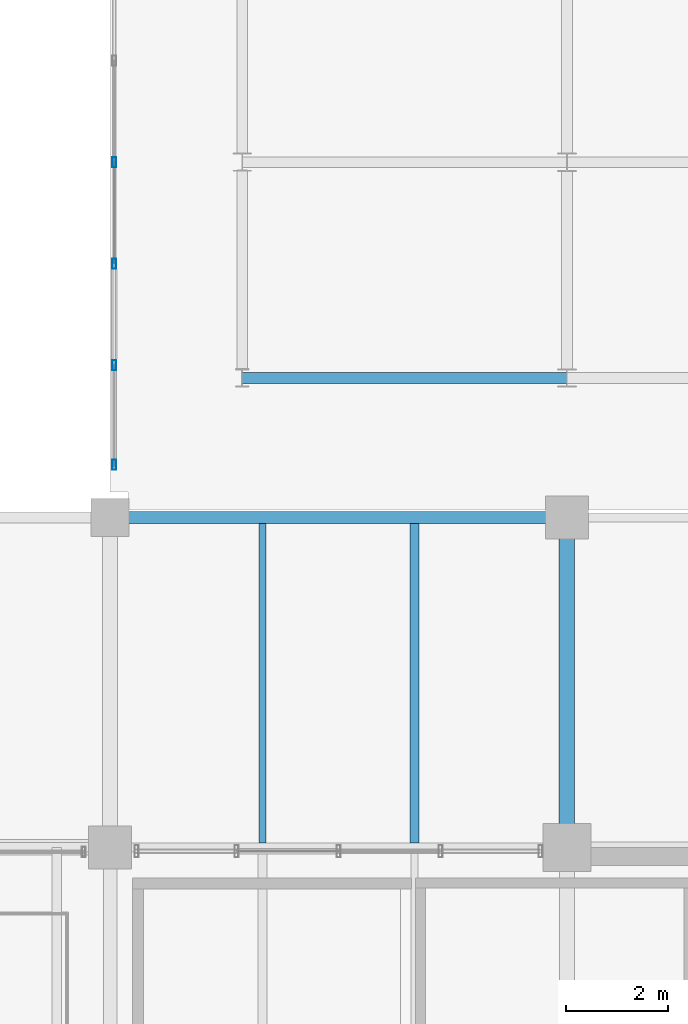
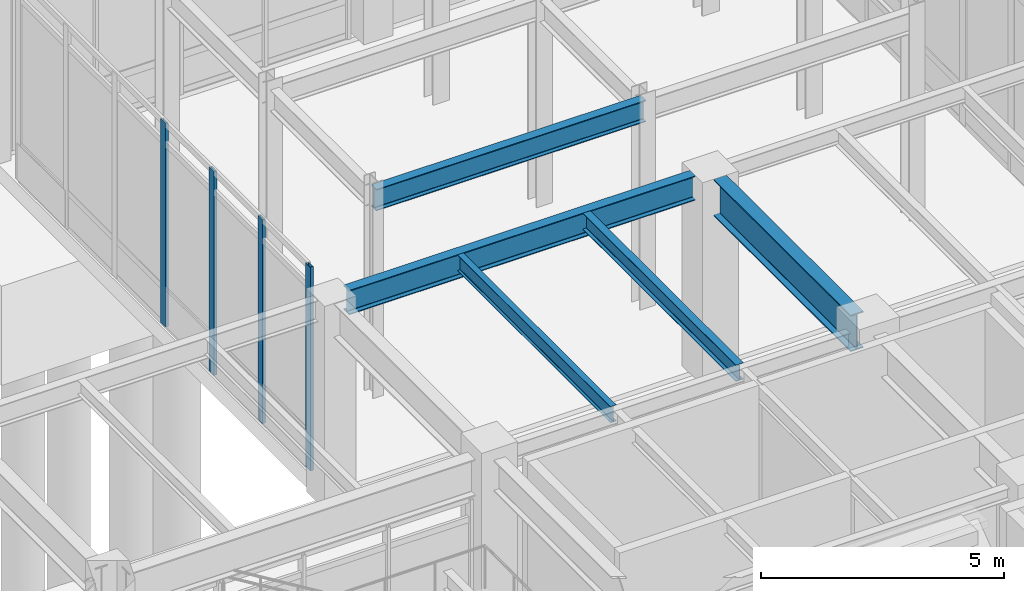
# One storey, part 86 of 203: 5 beams, 4 members, 1 element without a shape of its own.
"""IFC4 building model written with IfcOpenShell, lengths in metres."""

from ifc_helpers import new_model, si_unit, direction, frame, origin, origin_2d, place, context, subcontext, project, spatial, hollow_rectangle, i_section, extrude, material, material_profile, profile_set, type_object, element, aggregate, save


model = new_model("IFC4")

# Units and contexts
model_context = context("Model", 3, precision=1e-05, world=origin(), true_north=direction((0.0, 1.0)))
body_context = subcontext(model_context, "Body", "Model", "MODEL_VIEW")
ifc_project = project(units=[si_unit("LENGTHUNIT", "METRE"), si_unit("AREAUNIT", "SQUARE_METRE"), si_unit("VOLUMEUNIT", "CUBIC_METRE"), si_unit("PLANEANGLEUNIT", "RADIAN"), si_unit("MASSUNIT", "GRAM", prefix="KILO"), si_unit("THERMODYNAMICTEMPERATUREUNIT", "KELVIN"), si_unit("POWERUNIT", "WATT")], contexts=[model_context])

# Site, building, storey
site_placement = place(None, origin())
site = spatial("IfcSite", under=ifc_project, at=site_placement, CompositionType="ELEMENT")
building_placement = place(site_placement, origin())
building = spatial("IfcBuilding", under=site, at=building_placement, Name="Tepalcoro Natatorium and Aquatics Centre", CompositionType="ELEMENT")
storey_placement = place(building_placement, origin())
storey = spatial("IfcBuildingStorey", under=building, at=storey_placement, Name="L00", CompositionType="ELEMENT", Elevation=0.0)

# Beams
ifc_material_1 = material(Name="Steel ASTM A992 Grade 50 (Fy 345 MPa)", Category="steel")
ifc_material_profile_1 = material_profile(ifc_material_1, i_section(OverallWidth=0.2109375, OverallDepth=0.5380859375, WebThickness=0.011962890625, FlangeThickness=0.01904296875, FilletRadius=0.013916015625, at=origin_2d()), Name="W21X73")
ifc_profile_set_1 = profile_set([ifc_material_profile_1], Name="Steel ASTM A992 Grade 50 (Fy 345 MPa)")
beam_type_1 = type_object("IfcBeamType", Name="BM_LINK_LB1", PredefinedType="BEAM", material=ifc_profile_set_1)
beam_1_placement = place(storey_placement, frame((109.60009765625, 74.75, 4.89599609375), z_axis=(1.0, 0.0, 0.0), x_axis=(0.0, 1.0, 0.0)))
element("IfcBeam", 1, at=beam_1_placement, inside=storey, type_object=beam_type_1, Name="Seismic passage link beam LB1 (V6NE L00)", PredefinedType="BEAM", context=body_context, shape_type="SweptSolid", body=[
    extrude(i_section(OverallWidth=0.2109375, OverallDepth=0.5380859375, WebThickness=0.011962890625, FlangeThickness=0.01904296875, FilletRadius=0.013916015625, at=origin_2d()), origin(), (0.0, 0.0, 1.0), 6.39990234375),
])
ifc_material_profile_2 = material_profile(ifc_material_1, i_section(OverallWidth=0.304931640625, OverallDepth=0.9189453125, WebThickness=0.01708984375, FlangeThickness=0.028076171875, FilletRadius=0.013916015625, at=origin_2d()), Name="W36X170")
ifc_profile_set_2 = profile_set([ifc_material_profile_2], Name="Steel ASTM A992 Grade 50 (Fy 345 MPa)")
beam_type_2 = type_object("IfcBeamType", Name="BM_W36x170", PredefinedType="BEAM", material=ifc_profile_set_2)
beam_2_placement = place(storey_placement, frame((116.0, 65.9599609375, 4.62548828125), z_axis=(0.0, 1.0, 0.0), x_axis=(-1.0, 0.0, 0.0)))
element("IfcBeam", 2, at=beam_2_placement, inside=storey, type_object=beam_type_2, Name="V1 L00 Grid Girder Y", PredefinedType="BEAM", context=body_context, shape_type="SweptSolid", body=[
    extrude(i_section(OverallWidth=0.304931640625, OverallDepth=0.9189453125, WebThickness=0.01708984375, FlangeThickness=0.028076171875, FilletRadius=0.013916015625, at=origin_2d()), origin(), (0.0, 0.0, 1.0), 5.630126953125),
])

# Curtain wall, members
ifc_material_2 = material(Name="Bronze-Anodised Extruded Aluminium Alloy EN AW-6063 T6", Category="aluminium")
curtain_wall_type = type_object("IfcCurtainWallType", Name="CW_LINK_150", PredefinedType="USERDEFINED", material=ifc_material_2)
curtain_wall_placement = place(storey_placement, origin())
curtain_wall = element("IfcCurtainWall", 3, at=curtain_wall_placement, inside=storey, type_object=curtain_wall_type, Name="East Court Wellness Arcade Glazed Wall W L00", ObjectType="UNITISED STOREFRONT", PredefinedType="USERDEFINED")
ifc_material_profile_3 = material_profile(ifc_material_2, hollow_rectangle(XDim=0.070068359375, YDim=0.199951171875, WallThickness=0.0048828125, at=origin_2d()), Name="AL70X200X5")
ifc_profile_set_3 = profile_set([ifc_material_profile_3], Name="Bronze-Anodised Extruded Aluminium Alloy EN AW-6063 T6")
member_type = type_object("IfcMemberType", Name="CW_MUL_70x200", PredefinedType="MULLION", material=ifc_profile_set_3)
member_1_placement = place(storey_placement, frame((107.080078125, 73.0400390625, 0.02001953125), z_axis=(0.0, 0.0, 1.0), x_axis=(1.0, 0.0, 0.0)))
member_1 = element("IfcMember", 4, at=member_1_placement, type_object=member_type, Name="CW_LINK_150 Curtain Wall Mullion", PredefinedType="MULLION", context=body_context, shape_type="SweptSolid", body=[
    extrude(hollow_rectangle(XDim=0.070068359375, YDim=0.199951171875, WallThickness=0.0048828125, at=origin_2d()), origin(), (0.0, 0.0, 1.0), 5.119873046875),
])
member_2_placement = place(storey_placement, frame((107.080078125, 75.0, 0.02001953125), z_axis=(0.0, 0.0, 1.0), x_axis=(1.0, 0.0, 0.0)))
member_2 = element("IfcMember", 5, at=member_2_placement, type_object=member_type, Name="CW_LINK_150 Curtain Wall Mullion", PredefinedType="MULLION", context=body_context, shape_type="SweptSolid", body=[
    extrude(hollow_rectangle(XDim=0.070068359375, YDim=0.199951171875, WallThickness=0.0048828125, at=origin_2d()), origin(), (0.0, 0.0, 1.0), 5.119873046875),
])
member_3_placement = place(storey_placement, frame((107.080078125, 77.0, 0.02001953125), z_axis=(0.0, 0.0, 1.0), x_axis=(1.0, 0.0, 0.0)))
member_3 = element("IfcMember", 6, at=member_3_placement, type_object=member_type, Name="CW_LINK_150 Curtain Wall Mullion", PredefinedType="MULLION", context=body_context, shape_type="SweptSolid", body=[
    extrude(hollow_rectangle(XDim=0.070068359375, YDim=0.199951171875, WallThickness=0.0048828125, at=origin_2d()), origin(), (0.0, 0.0, 1.0), 5.119873046875),
])
member_4_placement = place(storey_placement, frame((107.080078125, 79.0, 0.02001953125), z_axis=(0.0, 0.0, 1.0), x_axis=(1.0, 0.0, 0.0)))
member_4 = element("IfcMember", 7, at=member_4_placement, type_object=member_type, Name="CW_LINK_150 Curtain Wall Mullion", PredefinedType="MULLION", context=body_context, shape_type="SweptSolid", body=[
    extrude(hollow_rectangle(XDim=0.070068359375, YDim=0.199951171875, WallThickness=0.0048828125, at=origin_2d()), origin(), (0.0, 0.0, 1.0), 5.119873046875),
])
aggregate(curtain_wall, [member_1, member_2, member_3, member_4])

# Beams
ifc_material_profile_4 = material_profile(ifc_material_1, i_section(OverallWidth=0.139892578125, OverallDepth=0.404052734375, WebThickness=0.007080078125, FlangeThickness=0.010986328125, FilletRadius=0.013916015625, at=origin_2d()), Name="W16X31")
ifc_profile_set_4 = profile_set([ifc_material_profile_4], Name="Steel ASTM A992 Grade 50 (Fy 345 MPa)")
beam_type_3 = type_object("IfcBeamType", Name="JS_W16x31", PredefinedType="JOIST", material=ifc_profile_set_4)
beam_3_placement = place(storey_placement, frame((110.0, 65.589111328125, 4.883056640625), z_axis=(0.0, 1.0, 0.0), x_axis=(-1.0, 0.0, 0.0)))
element("IfcBeam", 8, at=beam_3_placement, inside=storey, type_object=beam_type_3, Name="V1 L00 Floor Joist", PredefinedType="JOIST", context=body_context, shape_type="SweptSolid", body=[
    extrude(i_section(OverallWidth=0.139892578125, OverallDepth=0.404052734375, WebThickness=0.007080078125, FlangeThickness=0.010986328125, FilletRadius=0.013916015625, at=origin_2d()), origin(), (0.0, 0.0, 1.0), 6.29638671875),
])
ifc_material_profile_5 = material_profile(ifc_material_1, i_section(OverallWidth=0.178955078125, OverallDepth=0.409912109375, WebThickness=0.009033203125, FlangeThickness=0.013916015625, FilletRadius=0.013916015625, at=origin_2d()), Name="W16X45")
ifc_profile_set_5 = profile_set([ifc_material_profile_5], Name="Steel ASTM A992 Grade 50 (Fy 345 MPa)")
beam_type_4 = type_object("IfcBeamType", Name="JS_W16x45", PredefinedType="JOIST", material=ifc_profile_set_5)
beam_4_placement = place(storey_placement, frame((113.0, 65.589111328125, 4.8798828125), z_axis=(0.0, 1.0, 0.0), x_axis=(-1.0, 0.0, 0.0)))
element("IfcBeam", 9, at=beam_4_placement, inside=storey, type_object=beam_type_4, Name="V1 L00 Floor Joist", PredefinedType="JOIST", context=body_context, shape_type="SweptSolid", body=[
    extrude(i_section(OverallWidth=0.178955078125, OverallDepth=0.409912109375, WebThickness=0.009033203125, FlangeThickness=0.013916015625, FilletRadius=0.013916015625, at=origin_2d()), origin(), (0.0, 0.0, 1.0), 6.29638671875),
])
ifc_material_profile_6 = material_profile(ifc_material_1, i_section(OverallWidth=0.22900390625, OverallDepth=0.612060546875, WebThickness=0.011962890625, FlangeThickness=0.02001953125, FilletRadius=0.013916015625, at=origin_2d()), Name="W24X84")
ifc_profile_set_6 = profile_set([ifc_material_profile_6], Name="Steel ASTM A992 Grade 50 (Fy 345 MPa)")
beam_type_5 = type_object("IfcBeamType", Name="SP_W24x84", PredefinedType="SPANDREL", material=ifc_profile_set_6)
beam_5_placement = place(storey_placement, frame((107.360107421875, 72.0, 4.779052734375), z_axis=(1.0, 0.0, 0.0), x_axis=(0.0, 1.0, 0.0)))
element("IfcBeam", 10, at=beam_5_placement, inside=storey, type_object=beam_type_5, Name="V1 L00 Grid Girder X", PredefinedType="SPANDREL", context=body_context, shape_type="SweptSolid", body=[
    extrude(i_section(OverallWidth=0.22900390625, OverallDepth=0.612060546875, WebThickness=0.011962890625, FlangeThickness=0.02001953125, FilletRadius=0.013916015625, at=origin_2d()), origin(), (0.0, 0.0, 1.0), 8.22998046875),
])

save(model, "model.ifc")
